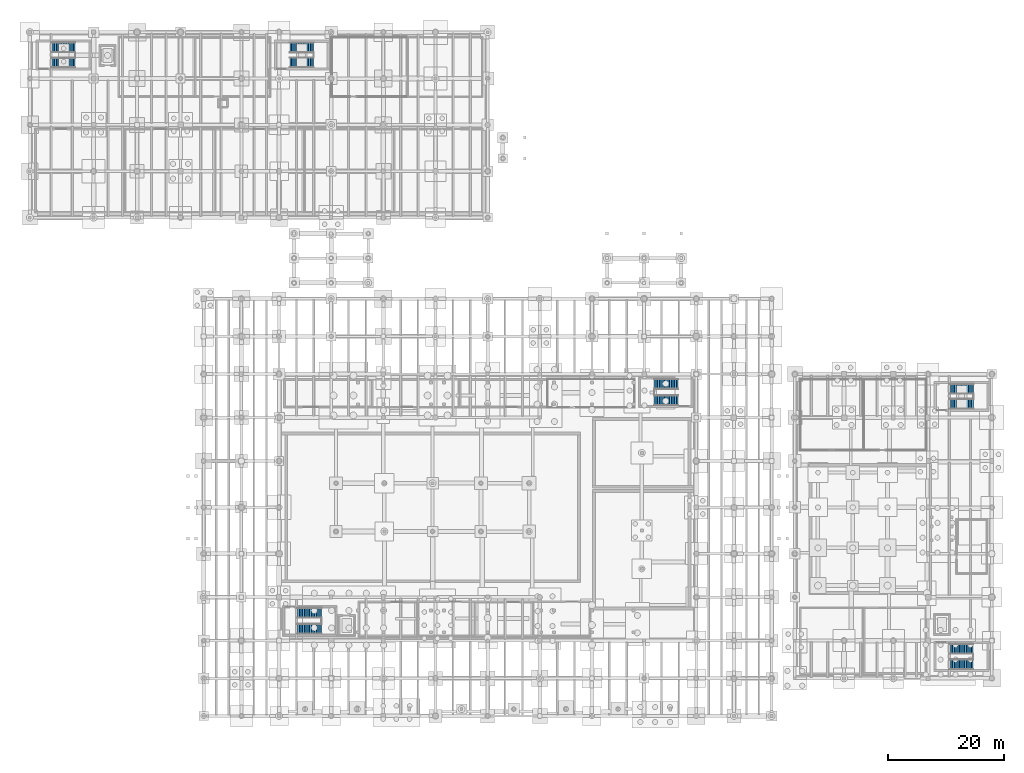
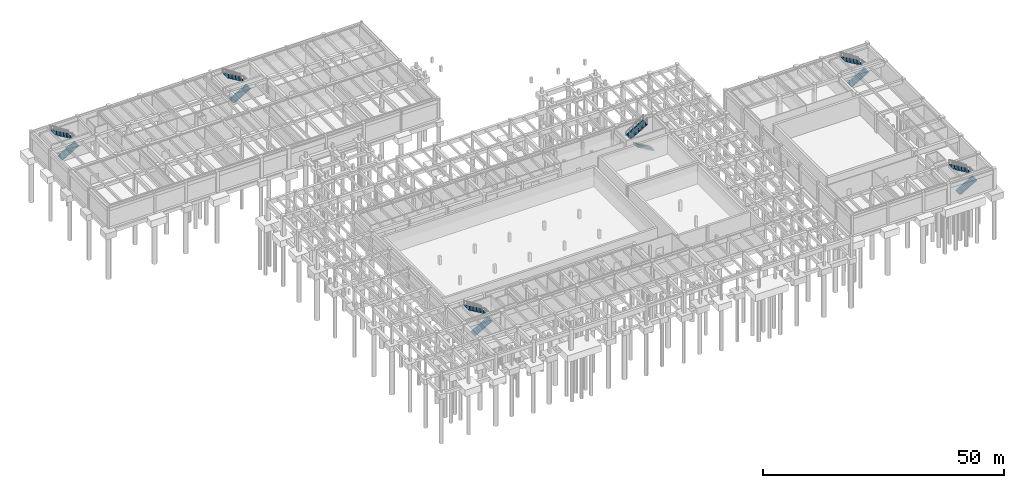
# One storey, part 33 of 36: 12 stair flights, 6 elements without a shape of their own.
"""IFC4 building model written with IfcOpenShell, lengths in metres."""

from ifc_helpers import new_model, si_unit, direction, frame, origin, place, context, subcontext, project, spatial, polyline, outline, extrude, material, layer, layer_set, type_object, element, aggregate, save


model = new_model("IFC4")

# Units and contexts
model_context = context("Model", 3, precision=1e-05, world=origin(), true_north=direction((0.0, 1.0)))
body_context = subcontext(model_context, "Body", "Model", "MODEL_VIEW")
ifc_project = project(units=[si_unit("LENGTHUNIT", "METRE"), si_unit("AREAUNIT", "SQUARE_METRE"), si_unit("VOLUMEUNIT", "CUBIC_METRE"), si_unit("PLANEANGLEUNIT", "RADIAN"), si_unit("MASSUNIT", "GRAM", prefix="KILO"), si_unit("THERMODYNAMICTEMPERATUREUNIT", "KELVIN"), si_unit("POWERUNIT", "WATT")], contexts=[model_context])

# Site, building, storey
site_placement = place(None, origin())
site = spatial("IfcSite", under=ifc_project, at=site_placement, CompositionType="ELEMENT")
building_placement = place(site_placement, origin())
building = spatial("IfcBuilding", under=site, at=building_placement, Name="Tepalcoro Natatorium and Aquatics Centre", CompositionType="ELEMENT")
storey_placement = place(building_placement, frame((0.0, 0.0, -5.199951171875)))
storey = spatial("IfcBuildingStorey", under=building, at=storey_placement, Name="B1", CompositionType="ELEMENT", Elevation=-5.199951171875)

# Stair, stair flights
ifc_material = material(Name="Concrete C35/45 (fc 35 MPa)", Category="concrete")
stair_type_1 = type_object("IfcStairType", Name="ST_RC_1800_B1", PredefinedType="HALF_TURN_STAIR", material=ifc_material)
stair_1_placement = place(storey_placement, origin())
stair_1 = element("IfcStair", 1, at=stair_1_placement, inside=storey, type_object=stair_type_1, Name="Natatorium West Fire Stair (B1 to L00)", PredefinedType="HALF_TURN_STAIR")
ifc_layer_1 = layer(ifc_material, 0.199951171875)
ifc_layer_set_1 = layer_set([ifc_layer_1], Name="Concrete C35/45 (fc 35 MPa)")
stair_flight_type_1 = type_object("IfcStairFlightType", Name="SF_RC_1800_B1", PredefinedType="STRAIGHT", material=ifc_layer_set_1)
stair_flight_1_placement = place(storey_placement, frame((56.199951171875, 14.989990234375, 0.0), z_axis=(0.0, 0.0, 1.0), x_axis=(1.0, 0.0, 0.0)))
stair_flight_1 = element("IfcStairFlight", 2, at=stair_flight_1_placement, type_object=stair_flight_type_1, Name="Natatorium West Fire Stair (B1 to L00) Flight 1", NumberOfRisers=15, NumberOfTreads=14, PredefinedType="STRAIGHT", RiserHeight=0.173333, TreadLength=0.295, context=body_context, shape_type="SweptSolid", body=[
    extrude(outline(polyline([(0.0, 0.0), (0.0, 0.17333984375), (0.294921875, 0.17333984375), (0.294921875, 0.3466796875), (0.590087890625, 0.3466796875), (0.590087890625, 0.52001953125), (0.885009765625, 0.52001953125), (0.885009765625, 0.693359375), (1.179931640625, 0.693359375), (1.179931640625, 0.86669921875), (1.47509765625, 0.86669921875), (1.47509765625, 1.0400390625), (1.77001953125, 1.0400390625), (1.77001953125, 1.21337890625), (2.06494140625, 1.21337890625), (2.06494140625, 1.38671875), (2.360107421875, 1.38671875), (2.360107421875, 1.56005859375), (2.655029296875, 1.56005859375), (2.655029296875, 1.7333984375), (2.949951171875, 1.7333984375), (2.949951171875, 1.90673828125), (3.2451171875, 1.90673828125), (3.2451171875, 2.080078125), (3.5400390625, 2.080078125), (3.5400390625, 2.25341796875), (3.8349609375, 2.25341796875), (3.8349609375, 2.4267578125), (4.1298828125, 2.4267578125), (4.1298828125, 2.60009765625), (4.1298828125, 2.19482421875), (0.394775390625, 0.0), (0.0, 0.0)])), frame((0.0, 0.89990234375, 0.0), z_axis=(0.0, -1.0, 0.0), x_axis=(1.0, 0.0, 0.0)), (0.0, 0.0, 1.0), 1.800048828125),
])
stair_flight_2_placement = place(storey_placement, frame((60.330078125, 17.81005859375, 2.599853515625), z_axis=(0.0, 0.0, 1.0), x_axis=(-1.0, 0.0, 0.0)))
stair_flight_2 = element("IfcStairFlight", 3, at=stair_flight_2_placement, type_object=stair_flight_type_1, Name="Natatorium West Fire Stair (B1 to L00) Flight 2", NumberOfRisers=15, NumberOfTreads=14, PredefinedType="STRAIGHT", RiserHeight=0.173333, TreadLength=0.295, context=body_context, shape_type="SweptSolid", body=[
    extrude(outline(polyline([(0.0, 0.0), (0.0, 0.17333984375), (0.294921875, 0.17333984375), (0.294921875, 0.3466796875), (0.590087890625, 0.3466796875), (0.590087890625, 0.52001953125), (0.885009765625, 0.52001953125), (0.885009765625, 0.693359375), (1.179931640625, 0.693359375), (1.179931640625, 0.86669921875), (1.47509765625, 0.86669921875), (1.47509765625, 1.0400390625), (1.77001953125, 1.0400390625), (1.77001953125, 1.21337890625), (2.06494140625, 1.21337890625), (2.06494140625, 1.38671875), (2.360107421875, 1.38671875), (2.360107421875, 1.56005859375), (2.655029296875, 1.56005859375), (2.655029296875, 1.7333984375), (2.949951171875, 1.7333984375), (2.949951171875, 1.90673828125), (3.2451171875, 1.90673828125), (3.2451171875, 2.080078125), (3.5400390625, 2.080078125), (3.5400390625, 2.25341796875), (3.8349609375, 2.25341796875), (3.8349609375, 2.4267578125), (4.1298828125, 2.4267578125), (4.1298828125, 2.60009765625), (4.1298828125, 2.19482421875), (0.394775390625, 0.0), (0.0, 0.0)])), frame((0.0, 0.89990234375, 0.0), z_axis=(0.0, -1.0, 0.0), x_axis=(1.0, 0.0, 0.0)), (0.0, 0.0, 1.0), 1.800048828125),
])
aggregate(stair_1, [stair_flight_1, stair_flight_2])

stair_type_2 = type_object("IfcStairType", Name="ST_RC_1800_L00", PredefinedType="HALF_TURN_STAIR", material=ifc_material)
stair_2_placement = place(storey_placement, origin())
stair_2 = element("IfcStair", 4, at=stair_2_placement, inside=storey, type_object=stair_type_2, Name="Natatorium East Fire Stair (B1 to L00)", PredefinedType="HALF_TURN_STAIR")
ifc_layer_2 = layer(ifc_material, 0.2099609375)
ifc_layer_set_2 = layer_set([ifc_layer_2], Name="Concrete C35/45 (fc 35 MPa)")
stair_flight_type_2 = type_object("IfcStairFlightType", Name="SF_RC_1800_L00", PredefinedType="STRAIGHT", material=ifc_layer_set_2)
stair_flight_3_placement = place(storey_placement, frame((121.8701171875, 54.419921875, 0.0), z_axis=(0.0, 0.0, 1.0), x_axis=(-1.0, 0.0, 0.0)))
stair_flight_3 = element("IfcStairFlight", 5, at=stair_flight_3_placement, type_object=stair_flight_type_2, Name="Natatorium East Fire Stair (B1 to L00) Flight 1", NumberOfRisers=15, NumberOfTreads=14, PredefinedType="STRAIGHT", RiserHeight=0.173333, TreadLength=0.295, context=body_context, shape_type="SweptSolid", body=[
    extrude(outline(polyline([(0.0, 0.0), (0.0, 0.17333984375), (0.294921875, 0.17333984375), (0.294921875, 0.3466796875), (0.590087890625, 0.3466796875), (0.590087890625, 0.52001953125), (0.885009765625, 0.52001953125), (0.885009765625, 0.693359375), (1.179931640625, 0.693359375), (1.179931640625, 0.86669921875), (1.47509765625, 0.86669921875), (1.47509765625, 1.0400390625), (1.77001953125, 1.0400390625), (1.77001953125, 1.21337890625), (2.06494140625, 1.21337890625), (2.06494140625, 1.38671875), (2.360107421875, 1.38671875), (2.360107421875, 1.56005859375), (2.655029296875, 1.56005859375), (2.655029296875, 1.7333984375), (2.949951171875, 1.7333984375), (2.949951171875, 1.90673828125), (3.2451171875, 1.90673828125), (3.2451171875, 2.080078125), (3.5400390625, 2.080078125), (3.5400390625, 2.25341796875), (3.8349609375, 2.25341796875), (3.8349609375, 2.4267578125), (4.1298828125, 2.4267578125), (4.1298828125, 2.60009765625), (4.1298828125, 2.18310546875), (0.41455078125, 0.0), (0.0, 0.0)])), frame((0.0, 0.89990234375, 0.0), z_axis=(0.0, -1.0, 0.0), x_axis=(1.0, 0.0, 0.0)), (0.0, 0.0, 1.0), 1.800048828125),
])
stair_flight_4_placement = place(storey_placement, frame((117.739990234375, 57.280029296875, 2.599853515625), z_axis=(0.0, 0.0, 1.0), x_axis=(1.0, 0.0, 0.0)))
stair_flight_4 = element("IfcStairFlight", 6, at=stair_flight_4_placement, type_object=stair_flight_type_2, Name="Natatorium East Fire Stair (B1 to L00) Flight 2", NumberOfRisers=15, NumberOfTreads=14, PredefinedType="STRAIGHT", RiserHeight=0.173333, TreadLength=0.295, context=body_context, shape_type="SweptSolid", body=[
    extrude(outline(polyline([(0.0, 0.0), (0.0, 0.17333984375), (0.294921875, 0.17333984375), (0.294921875, 0.3466796875), (0.590087890625, 0.3466796875), (0.590087890625, 0.52001953125), (0.885009765625, 0.52001953125), (0.885009765625, 0.693359375), (1.179931640625, 0.693359375), (1.179931640625, 0.86669921875), (1.47509765625, 0.86669921875), (1.47509765625, 1.0400390625), (1.77001953125, 1.0400390625), (1.77001953125, 1.21337890625), (2.06494140625, 1.21337890625), (2.06494140625, 1.38671875), (2.360107421875, 1.38671875), (2.360107421875, 1.56005859375), (2.655029296875, 1.56005859375), (2.655029296875, 1.7333984375), (2.949951171875, 1.7333984375), (2.949951171875, 1.90673828125), (3.2451171875, 1.90673828125), (3.2451171875, 2.080078125), (3.5400390625, 2.080078125), (3.5400390625, 2.25341796875), (3.8349609375, 2.25341796875), (3.8349609375, 2.4267578125), (4.1298828125, 2.4267578125), (4.1298828125, 2.60009765625), (4.1298828125, 2.18310546875), (0.41455078125, 0.0), (0.0, 0.0)])), frame((0.0, 0.89990234375, 0.0), z_axis=(0.0, -1.0, 0.0), x_axis=(1.0, 0.0, 0.0)), (0.0, 0.0, 1.0), 1.800048828125),
])
aggregate(stair_2, [stair_flight_3, stair_flight_4])

stair_type_3 = type_object("IfcStairType", Name="ST_RC_1800_L01", PredefinedType="HALF_TURN_STAIR", material=ifc_material)
stair_3_placement = place(storey_placement, origin())
stair_3 = element("IfcStair", 7, at=stair_3_placement, inside=storey, type_object=stair_type_3, Name="Diving Wing South Fire Stair (B1 to L00)", PredefinedType="HALF_TURN_STAIR")
ifc_layer_3 = layer(ifc_material, 0.219970703125)
ifc_layer_set_3 = layer_set([ifc_layer_3], Name="Concrete C35/45 (fc 35 MPa)")
stair_flight_type_3 = type_object("IfcStairFlightType", Name="SF_RC_1800_L01", PredefinedType="STRAIGHT", material=ifc_layer_set_3)
stair_flight_5_placement = place(storey_placement, frame((168.64990234375, 8.889892578125, 0.0), z_axis=(0.0, 0.0, 1.0), x_axis=(1.0, 0.0, 0.0)))
stair_flight_5 = element("IfcStairFlight", 8, at=stair_flight_5_placement, type_object=stair_flight_type_3, Name="Diving Wing South Fire Stair (B1 to L00) Flight 1", NumberOfRisers=15, NumberOfTreads=14, PredefinedType="STRAIGHT", RiserHeight=0.173333, TreadLength=0.295, context=body_context, shape_type="SweptSolid", body=[
    extrude(outline(polyline([(0.0, 0.0), (0.0, 0.17333984375), (0.294921875, 0.17333984375), (0.294921875, 0.3466796875), (0.590087890625, 0.3466796875), (0.590087890625, 0.52001953125), (0.885009765625, 0.52001953125), (0.885009765625, 0.693359375), (1.179931640625, 0.693359375), (1.179931640625, 0.86669921875), (1.47509765625, 0.86669921875), (1.47509765625, 1.0400390625), (1.77001953125, 1.0400390625), (1.77001953125, 1.21337890625), (2.06494140625, 1.21337890625), (2.06494140625, 1.38671875), (2.360107421875, 1.38671875), (2.360107421875, 1.56005859375), (2.655029296875, 1.56005859375), (2.655029296875, 1.7333984375), (2.949951171875, 1.7333984375), (2.949951171875, 1.90673828125), (3.2451171875, 1.90673828125), (3.2451171875, 2.080078125), (3.5400390625, 2.080078125), (3.5400390625, 2.25341796875), (3.8349609375, 2.25341796875), (3.8349609375, 2.4267578125), (4.1298828125, 2.4267578125), (4.1298828125, 2.60009765625), (4.1298828125, 2.171630859375), (0.434326171875, 0.0), (0.0, 0.0)])), frame((0.0, 0.89990234375, 0.0), z_axis=(0.0, -1.0, 0.0), x_axis=(1.0, 0.0, 0.0)), (0.0, 0.0, 1.0), 1.800048828125),
])
stair_flight_6_placement = place(storey_placement, frame((172.780029296875, 11.610107421875, 2.599853515625), z_axis=(0.0, 0.0, 1.0), x_axis=(-1.0, 0.0, 0.0)))
stair_flight_6 = element("IfcStairFlight", 9, at=stair_flight_6_placement, type_object=stair_flight_type_3, Name="Diving Wing South Fire Stair (B1 to L00) Flight 2", NumberOfRisers=15, NumberOfTreads=14, PredefinedType="STRAIGHT", RiserHeight=0.173333, TreadLength=0.295, context=body_context, shape_type="SweptSolid", body=[
    extrude(outline(polyline([(0.0, 0.0), (0.0, 0.17333984375), (0.294921875, 0.17333984375), (0.294921875, 0.3466796875), (0.590087890625, 0.3466796875), (0.590087890625, 0.52001953125), (0.885009765625, 0.52001953125), (0.885009765625, 0.693359375), (1.179931640625, 0.693359375), (1.179931640625, 0.86669921875), (1.47509765625, 0.86669921875), (1.47509765625, 1.0400390625), (1.77001953125, 1.0400390625), (1.77001953125, 1.21337890625), (2.06494140625, 1.21337890625), (2.06494140625, 1.38671875), (2.360107421875, 1.38671875), (2.360107421875, 1.56005859375), (2.655029296875, 1.56005859375), (2.655029296875, 1.7333984375), (2.949951171875, 1.7333984375), (2.949951171875, 1.90673828125), (3.2451171875, 1.90673828125), (3.2451171875, 2.080078125), (3.5400390625, 2.080078125), (3.5400390625, 2.25341796875), (3.8349609375, 2.25341796875), (3.8349609375, 2.4267578125), (4.1298828125, 2.4267578125), (4.1298828125, 2.60009765625), (4.1298828125, 2.171630859375), (0.434326171875, 0.0), (0.0, 0.0)])), frame((0.0, 0.89990234375, 0.0), z_axis=(0.0, -1.0, 0.0), x_axis=(1.0, 0.0, 0.0)), (0.0, 0.0, 1.0), 1.800048828125),
])
aggregate(stair_3, [stair_flight_5, stair_flight_6])

stair_4_placement = place(storey_placement, origin())
stair_4 = element("IfcStair", 10, at=stair_4_placement, inside=storey, type_object=stair_type_2, Name="Training Wing West Fire Stair (B1 to L00)", PredefinedType="HALF_TURN_STAIR")
stair_flight_7_placement = place(storey_placement, frame((13.699951171875, 112.68994140625, 0.0), z_axis=(0.0, 0.0, 1.0), x_axis=(1.0, 0.0, 0.0)))
stair_flight_7 = element("IfcStairFlight", 11, at=stair_flight_7_placement, type_object=stair_flight_type_3, Name="Training Wing West Fire Stair (B1 to L00) Flight 1", NumberOfRisers=15, NumberOfTreads=14, PredefinedType="STRAIGHT", RiserHeight=0.173333, TreadLength=0.295, context=body_context, shape_type="SweptSolid", body=[
    extrude(outline(polyline([(0.0, 0.0), (0.0, 0.17333984375), (0.294921875, 0.17333984375), (0.294921875, 0.3466796875), (0.590087890625, 0.3466796875), (0.590087890625, 0.52001953125), (0.885009765625, 0.52001953125), (0.885009765625, 0.693359375), (1.179931640625, 0.693359375), (1.179931640625, 0.86669921875), (1.47509765625, 0.86669921875), (1.47509765625, 1.0400390625), (1.77001953125, 1.0400390625), (1.77001953125, 1.21337890625), (2.06494140625, 1.21337890625), (2.06494140625, 1.38671875), (2.360107421875, 1.38671875), (2.360107421875, 1.56005859375), (2.655029296875, 1.56005859375), (2.655029296875, 1.7333984375), (2.949951171875, 1.7333984375), (2.949951171875, 1.90673828125), (3.2451171875, 1.90673828125), (3.2451171875, 2.080078125), (3.5400390625, 2.080078125), (3.5400390625, 2.25341796875), (3.8349609375, 2.25341796875), (3.8349609375, 2.4267578125), (4.1298828125, 2.4267578125), (4.1298828125, 2.60009765625), (4.1298828125, 2.171630859375), (0.434326171875, 0.0), (0.0, 0.0)])), frame((0.0, 0.89990234375, 0.0), z_axis=(0.0, -1.0, 0.0), x_axis=(1.0, 0.0, 0.0)), (0.0, 0.0, 1.0), 1.800048828125),
])
stair_flight_8_placement = place(storey_placement, frame((17.830078125, 115.409912109375, 2.599853515625), z_axis=(0.0, 0.0, 1.0), x_axis=(-1.0, 0.0, 0.0)))
stair_flight_8 = element("IfcStairFlight", 12, at=stair_flight_8_placement, type_object=stair_flight_type_3, Name="Training Wing West Fire Stair (B1 to L00) Flight 2", NumberOfRisers=15, NumberOfTreads=14, PredefinedType="STRAIGHT", RiserHeight=0.173333, TreadLength=0.295, context=body_context, shape_type="SweptSolid", body=[
    extrude(outline(polyline([(0.0, 0.0), (0.0, 0.17333984375), (0.294921875, 0.17333984375), (0.294921875, 0.3466796875), (0.590087890625, 0.3466796875), (0.590087890625, 0.52001953125), (0.885009765625, 0.52001953125), (0.885009765625, 0.693359375), (1.179931640625, 0.693359375), (1.179931640625, 0.86669921875), (1.47509765625, 0.86669921875), (1.47509765625, 1.0400390625), (1.77001953125, 1.0400390625), (1.77001953125, 1.21337890625), (2.06494140625, 1.21337890625), (2.06494140625, 1.38671875), (2.360107421875, 1.38671875), (2.360107421875, 1.56005859375), (2.655029296875, 1.56005859375), (2.655029296875, 1.7333984375), (2.949951171875, 1.7333984375), (2.949951171875, 1.90673828125), (3.2451171875, 1.90673828125), (3.2451171875, 2.080078125), (3.5400390625, 2.080078125), (3.5400390625, 2.25341796875), (3.8349609375, 2.25341796875), (3.8349609375, 2.4267578125), (4.1298828125, 2.4267578125), (4.1298828125, 2.60009765625), (4.1298828125, 2.171630859375), (0.434326171875, 0.0), (0.0, 0.0)])), frame((0.0, 0.89990234375, 0.0), z_axis=(0.0, -1.0, 0.0), x_axis=(1.0, 0.0, 0.0)), (0.0, 0.0, 1.0), 1.800048828125),
])
aggregate(stair_4, [stair_flight_7, stair_flight_8])

stair_type_4 = type_object("IfcStairType", Name="ST_RC_1800_L02", PredefinedType="HALF_TURN_STAIR", material=ifc_material)
stair_5_placement = place(storey_placement, origin())
stair_5 = element("IfcStair", 13, at=stair_5_placement, inside=storey, type_object=stair_type_4, Name="Diving Wing North Fire Stair (B1 to L00)", PredefinedType="HALF_TURN_STAIR")
ifc_layer_4 = layer(ifc_material, 0.18994140625)
ifc_layer_set_4 = layer_set([ifc_layer_4], Name="Concrete C35/45 (fc 35 MPa)")
stair_flight_type_4 = type_object("IfcStairFlightType", Name="SF_RC_1800_L02", PredefinedType="STRAIGHT", material=ifc_layer_set_4)
stair_flight_9_placement = place(storey_placement, frame((168.699951171875, 53.840087890625, 0.0), z_axis=(0.0, 0.0, 1.0), x_axis=(1.0, 0.0, 0.0)))
stair_flight_9 = element("IfcStairFlight", 14, at=stair_flight_9_placement, type_object=stair_flight_type_4, Name="Diving Wing North Fire Stair (B1 to L00) Flight 1", NumberOfRisers=15, NumberOfTreads=14, PredefinedType="STRAIGHT", RiserHeight=0.173333, TreadLength=0.295, context=body_context, shape_type="SweptSolid", body=[
    extrude(outline(polyline([(0.0, 0.0), (0.0, 0.17333984375), (0.294921875, 0.17333984375), (0.294921875, 0.3466796875), (0.590087890625, 0.3466796875), (0.590087890625, 0.52001953125), (0.885009765625, 0.52001953125), (0.885009765625, 0.693359375), (1.179931640625, 0.693359375), (1.179931640625, 0.86669921875), (1.47509765625, 0.86669921875), (1.47509765625, 1.0400390625), (1.77001953125, 1.0400390625), (1.77001953125, 1.21337890625), (2.06494140625, 1.21337890625), (2.06494140625, 1.38671875), (2.360107421875, 1.38671875), (2.360107421875, 1.56005859375), (2.655029296875, 1.56005859375), (2.655029296875, 1.7333984375), (2.949951171875, 1.7333984375), (2.949951171875, 1.90673828125), (3.2451171875, 1.90673828125), (3.2451171875, 2.080078125), (3.5400390625, 2.080078125), (3.5400390625, 2.25341796875), (3.8349609375, 2.25341796875), (3.8349609375, 2.4267578125), (4.1298828125, 2.4267578125), (4.1298828125, 2.60009765625), (4.1298828125, 2.206298828125), (0.375, 0.0), (0.0, 0.0)])), frame((0.0, 0.89990234375, 0.0), z_axis=(0.0, -1.0, 0.0), x_axis=(1.0, 0.0, 0.0)), (0.0, 0.0, 1.0), 1.800048828125),
])
stair_flight_10_placement = place(storey_placement, frame((172.830078125, 56.4599609375, 2.599853515625), z_axis=(0.0, 0.0, 1.0), x_axis=(-1.0, 0.0, 0.0)))
stair_flight_10 = element("IfcStairFlight", 15, at=stair_flight_10_placement, type_object=stair_flight_type_4, Name="Diving Wing North Fire Stair (B1 to L00) Flight 2", NumberOfRisers=15, NumberOfTreads=14, PredefinedType="STRAIGHT", RiserHeight=0.173333, TreadLength=0.295, context=body_context, shape_type="SweptSolid", body=[
    extrude(outline(polyline([(0.0, 0.0), (0.0, 0.17333984375), (0.294921875, 0.17333984375), (0.294921875, 0.3466796875), (0.590087890625, 0.3466796875), (0.590087890625, 0.52001953125), (0.885009765625, 0.52001953125), (0.885009765625, 0.693359375), (1.179931640625, 0.693359375), (1.179931640625, 0.86669921875), (1.47509765625, 0.86669921875), (1.47509765625, 1.0400390625), (1.77001953125, 1.0400390625), (1.77001953125, 1.21337890625), (2.06494140625, 1.21337890625), (2.06494140625, 1.38671875), (2.360107421875, 1.38671875), (2.360107421875, 1.56005859375), (2.655029296875, 1.56005859375), (2.655029296875, 1.7333984375), (2.949951171875, 1.7333984375), (2.949951171875, 1.90673828125), (3.2451171875, 1.90673828125), (3.2451171875, 2.080078125), (3.5400390625, 2.080078125), (3.5400390625, 2.25341796875), (3.8349609375, 2.25341796875), (3.8349609375, 2.4267578125), (4.1298828125, 2.4267578125), (4.1298828125, 2.60009765625), (4.1298828125, 2.206298828125), (0.375, 0.0), (0.0, 0.0)])), frame((0.0, 0.89990234375, 0.0), z_axis=(0.0, -1.0, 0.0), x_axis=(1.0, 0.0, 0.0)), (0.0, 0.0, 1.0), 1.800048828125),
])
aggregate(stair_5, [stair_flight_9, stair_flight_10])

stair_6_placement = place(storey_placement, origin())
stair_6 = element("IfcStair", 16, at=stair_6_placement, inside=storey, type_object=stair_type_3, Name="Training Wing East Fire Stair (B1 to L00)", PredefinedType="HALF_TURN_STAIR")
stair_flight_11_placement = place(storey_placement, frame((54.85009765625, 112.739990234375, 0.0), z_axis=(0.0, 0.0, 1.0), x_axis=(1.0, 0.0, 0.0)))
stair_flight_11 = element("IfcStairFlight", 17, at=stair_flight_11_placement, type_object=stair_flight_type_4, Name="Training Wing East Fire Stair (B1 to L00) Flight 1", NumberOfRisers=15, NumberOfTreads=14, PredefinedType="STRAIGHT", RiserHeight=0.173333, TreadLength=0.295, context=body_context, shape_type="SweptSolid", body=[
    extrude(outline(polyline([(0.0, 0.0), (0.0, 0.17333984375), (0.294921875, 0.17333984375), (0.294921875, 0.3466796875), (0.590087890625, 0.3466796875), (0.590087890625, 0.52001953125), (0.885009765625, 0.52001953125), (0.885009765625, 0.693359375), (1.179931640625, 0.693359375), (1.179931640625, 0.86669921875), (1.47509765625, 0.86669921875), (1.47509765625, 1.0400390625), (1.77001953125, 1.0400390625), (1.77001953125, 1.21337890625), (2.06494140625, 1.21337890625), (2.06494140625, 1.38671875), (2.360107421875, 1.38671875), (2.360107421875, 1.56005859375), (2.655029296875, 1.56005859375), (2.655029296875, 1.7333984375), (2.949951171875, 1.7333984375), (2.949951171875, 1.90673828125), (3.2451171875, 1.90673828125), (3.2451171875, 2.080078125), (3.5400390625, 2.080078125), (3.5400390625, 2.25341796875), (3.8349609375, 2.25341796875), (3.8349609375, 2.4267578125), (4.1298828125, 2.4267578125), (4.1298828125, 2.60009765625), (4.1298828125, 2.206298828125), (0.375, 0.0), (0.0, 0.0)])), frame((0.0, 0.89990234375, 0.0), z_axis=(0.0, -1.0, 0.0), x_axis=(1.0, 0.0, 0.0)), (0.0, 0.0, 1.0), 1.800048828125),
])
stair_flight_12_placement = place(storey_placement, frame((58.97998046875, 115.360107421875, 2.599853515625), z_axis=(0.0, 0.0, 1.0), x_axis=(-1.0, 0.0, 0.0)))
stair_flight_12 = element("IfcStairFlight", 18, at=stair_flight_12_placement, type_object=stair_flight_type_4, Name="Training Wing East Fire Stair (B1 to L00) Flight 2", NumberOfRisers=15, NumberOfTreads=14, PredefinedType="STRAIGHT", RiserHeight=0.173333, TreadLength=0.295, context=body_context, shape_type="SweptSolid", body=[
    extrude(outline(polyline([(0.0, 0.0), (0.0, 0.17333984375), (0.294921875, 0.17333984375), (0.294921875, 0.3466796875), (0.590087890625, 0.3466796875), (0.590087890625, 0.52001953125), (0.885009765625, 0.52001953125), (0.885009765625, 0.693359375), (1.179931640625, 0.693359375), (1.179931640625, 0.86669921875), (1.47509765625, 0.86669921875), (1.47509765625, 1.0400390625), (1.77001953125, 1.0400390625), (1.77001953125, 1.21337890625), (2.06494140625, 1.21337890625), (2.06494140625, 1.38671875), (2.360107421875, 1.38671875), (2.360107421875, 1.56005859375), (2.655029296875, 1.56005859375), (2.655029296875, 1.7333984375), (2.949951171875, 1.7333984375), (2.949951171875, 1.90673828125), (3.2451171875, 1.90673828125), (3.2451171875, 2.080078125), (3.5400390625, 2.080078125), (3.5400390625, 2.25341796875), (3.8349609375, 2.25341796875), (3.8349609375, 2.4267578125), (4.1298828125, 2.4267578125), (4.1298828125, 2.60009765625), (4.1298828125, 2.206298828125), (0.375, 0.0), (0.0, 0.0)])), frame((0.0, 0.89990234375, 0.0), z_axis=(0.0, -1.0, 0.0), x_axis=(1.0, 0.0, 0.0)), (0.0, 0.0, 1.0), 1.800048828125),
])
aggregate(stair_6, [stair_flight_11, stair_flight_12])

save(model, "model.ifc")
